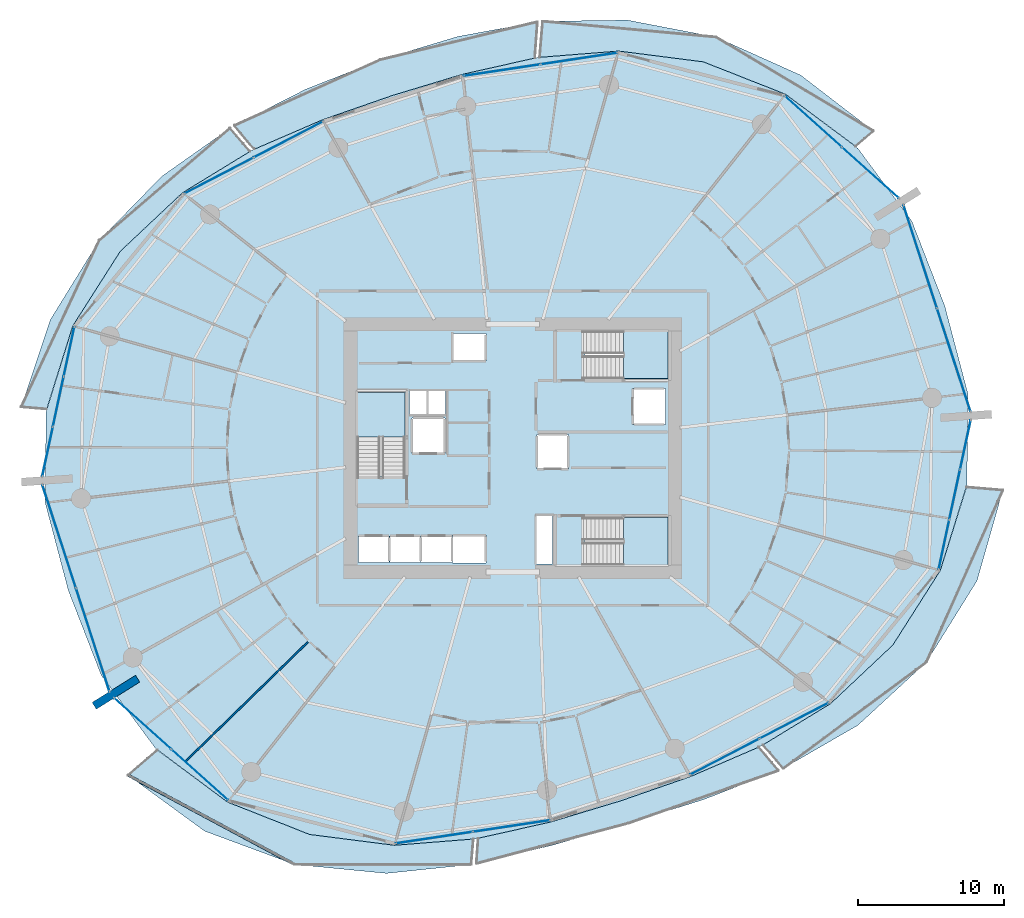
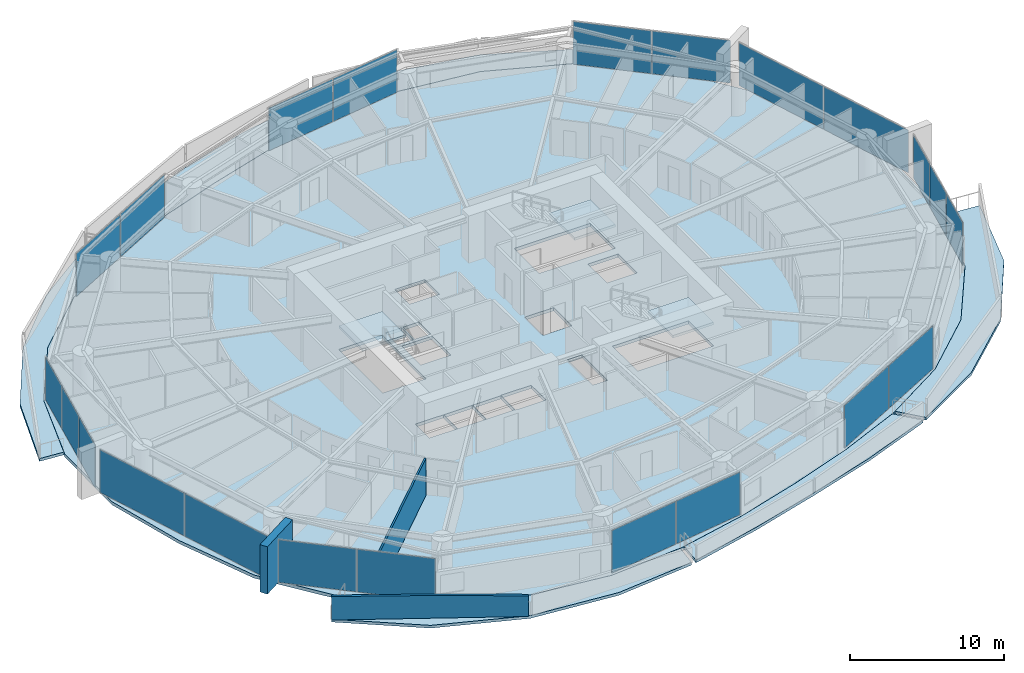
# One storey, part 18 of 31: 22 plates, 10 slabs, 3 walls, 13 elements without a shape of their own.
"""IFC4 building model written with IfcOpenShell, lengths in metres."""

import ifcopenshell
import ifcopenshell.guid

model = None  # the IFC model being written
_history = None  # IfcOwnerHistory: only IFC2X3 demands one
_inside = {}  # id of a spatial element -> (the spatial element, [elements in it])
_under = {}  # id of a project, library or spatial element -> (it, [spatial elements below it])
_declared = {}  # id of a project -> (the project, [libraries it declares])
_typed = {}  # id of a type object -> (the type object, [elements of that type])
_made_of = {}  # id of a material, layer set ... -> (it, [elements and type objects made of it])


def new_model(schema):
    """Start an empty IFC model of exactly this schema.

    Asked for "IFC4X3", IfcOpenShell would pick the latest addendum, in which some entities
    have other attributes; the version numbers below select the first issue.
    IFC2X3 requires an IfcOwnerHistory on every rooted entity: one is made here for all.
    """
    global model, _history
    if schema == "IFC4X3":
        model = ifcopenshell.file(schema_version=(4, 3, 0, 0))
    else:
        model = ifcopenshell.file(schema=schema)
    _inside.clear()
    _under.clear()
    _declared.clear()
    _typed.clear()
    _made_of.clear()
    _history = None
    if model.schema == "IFC2X3":
        org = make("IfcOrganization", Name="unknown")
        user = make(
            "IfcPersonAndOrganization",
            ThePerson=make("IfcPerson", FamilyName="unknown"),
            TheOrganization=org,
        )
        app = make(
            "IfcApplication",
            ApplicationDeveloper=org,
            Version="unknown",
            ApplicationFullName="unknown",
            ApplicationIdentifier="unknown",
        )
        _history = make(
            "IfcOwnerHistory",
            OwningUser=user,
            OwningApplication=app,
            ChangeAction="ADDED",
            CreationDate=0,
        )
    return model


def make(cls, **values):
    """One entity of the class cls with the attributes given. An attribute that is None is left unset."""
    return model.create_entity(
        cls, **{name: value for name, value in values.items() if value is not None}
    )


def rooted(cls, **values):
    """An entity with a GlobalId (a new one), such as an element, a storey or a relation."""
    return make(cls, GlobalId=ifcopenshell.guid.new(), OwnerHistory=_history, **values)


def si_unit(unit_type, name, prefix=None):
    """IfcSIUnit, for example si_unit("LENGTHUNIT", "METRE", prefix="MILLI")."""
    return make("IfcSIUnit", UnitType=unit_type, Prefix=prefix, Name=name)


def assignment(units):
    """IfcUnitAssignment: the units of a project."""
    return None if units is None else make("IfcUnitAssignment", Units=units)


def point(xyz):
    """IfcCartesianPoint."""
    return None if xyz is None else make("IfcCartesianPoint", Coordinates=xyz)


def direction(xyz):
    """IfcDirection."""
    return None if xyz is None else make("IfcDirection", DirectionRatios=xyz)


def frame(location, z_axis=None, x_axis=None):
    """IfcAxis2Placement3D, a coordinate frame: its origin and axes. An axis left out is left unset."""
    return make(
        "IfcAxis2Placement3D",
        Location=point(location),
        Axis=direction(z_axis),
        RefDirection=direction(x_axis),
    )


def frame_2d(location, x_axis=None):
    """IfcAxis2Placement2D, a coordinate frame in the plane: its origin and x axis."""
    return make(
        "IfcAxis2Placement2D", Location=point(location), RefDirection=direction(x_axis)
    )


def origin():
    """The frame at (0, 0, 0) with its axes left unset."""
    return frame((0.0, 0.0, 0.0))


def origin_2d():
    """The frame at (0, 0) in the plane with its x axis left unset."""
    return frame_2d((0.0, 0.0))


def place(relative_to, where):
    """IfcLocalPlacement: puts the frame where relative to a parent placement (None: the world)."""
    return make(
        "IfcLocalPlacement", PlacementRelTo=relative_to, RelativePlacement=where
    )


def context(
    kind, dimensions, precision=None, world=None, true_north=None, identifier=None
):
    """IfcGeometricRepresentationContext, for example the 3D "Model" context."""
    return make(
        "IfcGeometricRepresentationContext",
        ContextIdentifier=identifier,
        ContextType=kind,
        CoordinateSpaceDimension=dimensions,
        Precision=precision,
        WorldCoordinateSystem=world,
        TrueNorth=true_north,
    )


def subcontext(parent, identifier, kind, view, scale=None):
    """IfcGeometricRepresentationSubContext, for example "Body" below "Model"."""
    return make(
        "IfcGeometricRepresentationSubContext",
        ContextIdentifier=identifier,
        ContextType=kind,
        ParentContext=parent,
        TargetScale=scale,
        TargetView=view,
    )


def project(units=None, contexts=None):
    """IfcProject with its units and contexts."""
    return rooted(
        "IfcProject",
        Name="project",
        RepresentationContexts=contexts,
        UnitsInContext=assignment(units),
    )


def spatial(cls, under=None, at=None, **own):
    """A site, building, storey or space (cls), placed at a placement, below another one or the project."""
    s = rooted(cls, ObjectPlacement=at, **own)
    if under is not None:
        _under.setdefault(under.id(), (under, []))[1].append(s)
    return s


def polyline(points):
    """IfcPolyline through the points."""
    return make("IfcPolyline", Points=[point(p) for p in points])


def profile(cls, at=None, kind="AREA", **sizes):
    """A parametric profile (cls). Its sizes go by their IFC names, for example OverallWidth=200.0."""
    return make(cls, ProfileType=kind, Position=at, **sizes)


def rectangle(**sizes):
    """IfcRectangleProfileDef."""
    return profile("IfcRectangleProfileDef", **sizes)


def outline(outer, holes=None, kind="AREA"):
    """IfcArbitraryClosedProfileDef: a profile drawn as a closed curve; with holes, ...WithVoids."""
    if holes is None:
        return make("IfcArbitraryClosedProfileDef", ProfileType=kind, OuterCurve=outer)
    return make(
        "IfcArbitraryProfileDefWithVoids",
        ProfileType=kind,
        OuterCurve=outer,
        InnerCurves=holes,
    )


def extrude(swept, where, along, depth):
    """IfcExtrudedAreaSolid: the profile swept, set in the frame where, extruded along a direction by depth."""
    return make(
        "IfcExtrudedAreaSolid",
        SweptArea=swept,
        Position=where,
        ExtrudedDirection=direction(along),
        Depth=depth,
    )


def shape(context_of_items, identifier, shape_type, items):
    """IfcShapeRepresentation: the items that make up one representation, for example the "Body"."""
    return make(
        "IfcShapeRepresentation",
        ContextOfItems=context_of_items,
        RepresentationIdentifier=identifier,
        RepresentationType=shape_type,
        Items=items,
    )


def material(Name=None, Category=None):
    """IfcMaterial."""
    return make("IfcMaterial", Name=Name, Category=Category)


def layer(
    of_material, thickness, ventilated=None, Name=None, Category=None, Priority=None
):
    """IfcMaterialLayer: one layer of a wall or slab, of a material (None: an air gap)."""
    return make(
        "IfcMaterialLayer",
        Material=of_material,
        LayerThickness=thickness,
        IsVentilated=ventilated,
        Name=Name,
        Category=Category,
        Priority=Priority,
    )


def layer_set(layers, Name=None):
    """IfcMaterialLayerSet."""
    return make("IfcMaterialLayerSet", MaterialLayers=layers, LayerSetName=Name)


def made_of(thing, what):
    """Note that an element or type object is made of a material, layer set ...; save() writes the relation."""
    if what is not None:
        _made_of.setdefault(what.id(), (what, []))[1].append(thing)
    return thing


def type_object(cls, material=None, **own):
    """A type object (cls), such as IfcWallType, which elements share."""
    return made_of(rooted(cls, **own), material)


def element(
    cls,
    number,
    at=None,
    inside=None,
    cuts=None,
    type_object=None,
    material=None,
    context=None,
    identifier="Body",
    shape_type=None,
    held_by="IfcProductDefinitionShape",
    body=None,
    shapes=None,
    **own,
):
    """One element of the class cls, such as IfcWall. Its Tag is "e" and its number.

    at: its placement. inside: the storey or other place that contains it. cuts: it is an
    opening in that element (IfcRelVoidsElement). A single representation is given by context,
    identifier, shape_type and body (its items); several are given by shapes. held_by: the class
    of the entity that holds the representations. save() writes the other relations.
    """
    e = rooted(cls, Tag="e%d" % number, ObjectPlacement=at, **own)
    if body is not None:
        shapes = [shape(context, identifier, shape_type, body)]
    if shapes is not None:
        e.Representation = make(held_by, Representations=shapes)
    if inside is not None:
        _inside.setdefault(inside.id(), (inside, []))[1].append(e)
    if cuts is not None:
        rooted(
            "IfcRelVoidsElement", RelatingBuildingElement=cuts, RelatedOpeningElement=e
        )
    if type_object is not None:
        _typed.setdefault(type_object.id(), (type_object, []))[1].append(e)
    return made_of(e, material)


def aggregate(whole, parts):
    """IfcRelAggregates: a whole, such as a stair, and the parts it consists of."""
    return rooted("IfcRelAggregates", RelatingObject=whole, RelatedObjects=parts)


def save(model, path):
    """Write the relations noted so far, then the file.

    IfcRelAggregates (storeys below a building ...), IfcRelContainedInSpatialStructure (elements
    in a storey), IfcRelDefinesByType, IfcRelAssociatesMaterial and IfcRelDeclares: one each for
    every whole, place, type object, material and project.
    """
    for whole, parts in _under.values():
        aggregate(whole, parts)
    for where, things in _inside.values():
        rooted(
            "IfcRelContainedInSpatialStructure",
            RelatedElements=things,
            RelatingStructure=where,
        )
    for kind, things in _typed.values():
        rooted("IfcRelDefinesByType", RelatedObjects=things, RelatingType=kind)
    for what, things in _made_of.values():
        rooted("IfcRelAssociatesMaterial", RelatedObjects=things, RelatingMaterial=what)
    for by, libraries in _declared.values():
        rooted("IfcRelDeclares", RelatingContext=by, RelatedDefinitions=libraries)
    model.write(path)


model = new_model("IFC4")

# Units and contexts
model_context = context("Model", 3, precision=1e-05, world=origin(), true_north=direction((0.0, 1.0)))
body_context = subcontext(model_context, "Body", "Model", "MODEL_VIEW")
ifc_project = project(units=[si_unit("LENGTHUNIT", "METRE"), si_unit("AREAUNIT", "SQUARE_METRE"), si_unit("VOLUMEUNIT", "CUBIC_METRE"), si_unit("PLANEANGLEUNIT", "RADIAN"), si_unit("MASSUNIT", "GRAM", prefix="KILO")], contexts=[model_context])

# Site, building, storey
site_placement = place(None, origin())
site = spatial("IfcSite", under=ifc_project, at=site_placement, CompositionType="ELEMENT")
building_placement = place(site_placement, origin())
building = spatial("IfcBuilding", under=site, at=building_placement, Name="Kazma Halo Residences", CompositionType="ELEMENT")
storey_placement = place(building_placement, frame((0.0, 0.0, 60.14990234375)))
storey = spatial("IfcBuildingStorey", under=building, at=storey_placement, Name="L14", CompositionType="ELEMENT", Elevation=60.14990234375)

# Curtain wall, plates
ifc_material_1 = material(Name="Aluminium AW-6063 T6 and Triple-Silver Low-E Glass", Category="aluminium")
ifc_layer_1 = layer(ifc_material_1, 0.159912109375)
ifc_layer_set_1 = layer_set([ifc_layer_1], Name="Aluminium AW-6063 T6 and Triple-Silver Low-E Glass")
curtain_wall_type = type_object("IfcCurtainWallType", Name="CW-SYS-2", PredefinedType="NOTDEFINED", material=ifc_layer_set_1)
curtain_wall_1_placement = place(storey_placement, origin())
curtain_wall_1 = element("IfcCurtainWall", 1, at=curtain_wall_1_placement, inside=storey, type_object=curtain_wall_type, Name="L14 unitised curtain wall B01", PredefinedType="NOTDEFINED")
ifc_material_2 = material(Name="Clear Triple-Silver Low-E Glass IGU", Category="glass")
ifc_layer_2 = layer(ifc_material_2, 0.028076171875)
ifc_layer_set_2 = layer_set([ifc_layer_2], Name="Clear Triple-Silver Low-E Glass IGU")
plate_type = type_object("IfcPlateType", Name="CW-SYS-2-PNL", PredefinedType="CURTAIN_PANEL", material=ifc_layer_set_2)
plate_1_placement = place(storey_placement, frame((72.876953125, 60.841064453125, 0.06005859375), z_axis=(0.0, 0.0, 1.0), x_axis=(-0.744321506993, 0.667821453854, 0.0)))
plate_1 = element("IfcPlate", 2, at=plate_1_placement, type_object=plate_type, Name="CWS-2 panel 1.1", PredefinedType="CURTAIN_PANEL", context=body_context, shape_type="SweptSolid", body=[
    extrude(rectangle(XDim=5.1787109375, YDim=0.028076171875, at=origin_2d()), origin(), (0.0, 0.0, 1.0), 3.3798828125),
])
plate_2_placement = place(storey_placement, frame((68.977783203125, 64.33935546875, 0.06005859375), z_axis=(0.0, 0.0, 1.0), x_axis=(-0.744321506993, 0.667821453854, 0.0)))
plate_2 = element("IfcPlate", 3, at=plate_2_placement, type_object=plate_type, Name="CWS-2 panel 2.1", PredefinedType="CURTAIN_PANEL", context=body_context, shape_type="SweptSolid", body=[
    extrude(rectangle(XDim=5.1787109375, YDim=0.028076171875, at=origin_2d()), origin(), (0.0, 0.0, 1.0), 3.3798828125),
])
aggregate(curtain_wall_1, [plate_1, plate_2])

curtain_wall_2_placement = place(storey_placement, origin())
curtain_wall_2 = element("IfcCurtainWall", 4, at=curtain_wall_2_placement, inside=storey, type_object=curtain_wall_type, Name="L14 unitised curtain wall B03", PredefinedType="NOTDEFINED")
plate_3_placement = place(storey_placement, frame((52.952392578125, 68.64013671875, 0.06005859375), z_axis=(0.0, 0.0, 1.0), x_axis=(-0.988888777994, -0.148657272805, 0.0)))
plate_3 = element("IfcPlate", 5, at=plate_3_placement, type_object=plate_type, Name="CWS-2 panel 1.1", PredefinedType="CURTAIN_PANEL", context=body_context, shape_type="SweptSolid", body=[
    extrude(rectangle(XDim=5.288818359375, YDim=0.028076171875, at=origin_2d()), origin(), (0.0, 0.0, 1.0), 3.3798828125),
])
plate_4_placement = place(storey_placement, frame((47.662841796875, 67.844970703125, 0.06005859375), z_axis=(0.0, 0.0, 1.0), x_axis=(-0.988888777994, -0.148657272805, 0.0)))
plate_4 = element("IfcPlate", 6, at=plate_4_placement, type_object=plate_type, Name="CWS-2 panel 2.1", PredefinedType="CURTAIN_PANEL", context=body_context, shape_type="SweptSolid", body=[
    extrude(rectangle(XDim=5.288818359375, YDim=0.028076171875, at=origin_2d()), origin(), (0.0, 0.0, 1.0), 3.3798828125),
])
aggregate(curtain_wall_2, [plate_3, plate_4])

curtain_wall_3_placement = place(storey_placement, origin())
curtain_wall_3 = element("IfcCurtainWall", 7, at=curtain_wall_3_placement, inside=storey, type_object=curtain_wall_type, Name="L14 unitised curtain wall B05", PredefinedType="NOTDEFINED")
plate_5_placement = place(storey_placement, frame((33.081298828125, 63.107177734375, 0.06005859375), z_axis=(0.0, 0.0, 1.0), x_axis=(-0.887402258584, -0.460995912628, 0.0)))
plate_5 = element("IfcPlate", 8, at=plate_5_placement, type_object=plate_type, Name="CWS-2 panel 1.1", PredefinedType="CURTAIN_PANEL", context=body_context, shape_type="SweptSolid", body=[
    extrude(rectangle(XDim=5.288818359375, YDim=0.028076171875, at=origin_2d()), origin(), (0.0, 0.0, 1.0), 3.3798828125),
])
plate_6_placement = place(storey_placement, frame((28.334716796875, 60.641357421875, 0.06005859375), z_axis=(0.0, 0.0, 1.0), x_axis=(-0.887402258584, -0.460995912628, 0.0)))
plate_6 = element("IfcPlate", 9, at=plate_6_placement, type_object=plate_type, Name="CWS-2 panel 2.1", PredefinedType="CURTAIN_PANEL", context=body_context, shape_type="SweptSolid", body=[
    extrude(rectangle(XDim=5.288818359375, YDim=0.028076171875, at=origin_2d()), origin(), (0.0, 0.0, 1.0), 3.3798828125),
])
aggregate(curtain_wall_3, [plate_5, plate_6])

curtain_wall_4_placement = place(storey_placement, origin())
curtain_wall_4 = element("IfcCurtainWall", 10, at=curtain_wall_4_placement, inside=storey, type_object=curtain_wall_type, Name="L14 unitised curtain wall B07", PredefinedType="NOTDEFINED")
plate_7_placement = place(storey_placement, frame((18.08203125, 48.60107421875, 0.06005859375), z_axis=(0.0, 0.0, 1.0), x_axis=(-0.209637321406, -0.977779215096, 0.0)))
plate_7 = element("IfcPlate", 11, at=plate_7_placement, type_object=plate_type, Name="CWS-2 panel 1.1", PredefinedType="CURTAIN_PANEL", context=body_context, shape_type="SweptSolid", body=[
    extrude(rectangle(XDim=3.42236328125, YDim=0.028076171875, at=origin_2d()), origin(), (0.0, 0.0, 1.0), 3.3798828125),
])
plate_8_placement = place(storey_placement, frame((17.348876953125, 45.181396484375, 0.06005859375), z_axis=(0.0, 0.0, 1.0), x_axis=(-0.209637321406, -0.977779215096, 0.0)))
plate_8 = element("IfcPlate", 12, at=plate_8_placement, type_object=plate_type, Name="CWS-2 panel 2.1", PredefinedType="CURTAIN_PANEL", context=body_context, shape_type="SweptSolid", body=[
    extrude(rectangle(XDim=3.452392578125, YDim=0.028076171875, at=origin_2d()), origin(), (0.0, 0.0, 1.0), 3.3798828125),
])
plate_9_placement = place(storey_placement, frame((16.61572265625, 41.76171875, 0.06005859375), z_axis=(0.0, 0.0, 1.0), x_axis=(-0.209637321406, -0.977779215096, 0.0)))
plate_9 = element("IfcPlate", 13, at=plate_9_placement, type_object=plate_type, Name="CWS-2 panel 3.1", PredefinedType="CURTAIN_PANEL", context=body_context, shape_type="SweptSolid", body=[
    extrude(rectangle(XDim=3.42236328125, YDim=0.028076171875, at=origin_2d()), origin(), (0.0, 0.0, 1.0), 3.3798828125),
])
aggregate(curtain_wall_4, [plate_7, plate_8, plate_9])

curtain_wall_5_placement = place(storey_placement, origin())
curtain_wall_5 = element("IfcCurtainWall", 14, at=curtain_wall_5_placement, inside=storey, type_object=curtain_wall_type, Name="L14 unitised curtain wall B08", PredefinedType="NOTDEFINED")
plate_10_placement = place(storey_placement, frame((17.409912109375, 35.96728515625, 0.06005859375), z_axis=(0.0, 0.0, 1.0), x_axis=(0.309016970539, -0.95105652404, 0.0)))
plate_10 = element("IfcPlate", 15, at=plate_10_placement, type_object=plate_type, Name="CWS-2 panel 1.1", PredefinedType="CURTAIN_PANEL", context=body_context, shape_type="SweptSolid", body=[
    extrude(rectangle(XDim=7.370849609375, YDim=0.028076171875, at=origin_2d()), origin(), (0.0, 0.0, 1.0), 3.3798828125),
])
plate_11_placement = place(storey_placement, frame((19.7060546875, 28.900146484375, 0.06005859375), z_axis=(0.0, 0.0, 1.0), x_axis=(0.309016970539, -0.95105652404, 0.0)))
plate_11 = element("IfcPlate", 16, at=plate_11_placement, type_object=plate_type, Name="CWS-2 panel 2.1", PredefinedType="CURTAIN_PANEL", context=body_context, shape_type="SweptSolid", body=[
    extrude(rectangle(XDim=7.370849609375, YDim=0.028076171875, at=origin_2d()), origin(), (0.0, 0.0, 1.0), 3.3798828125),
])
aggregate(curtain_wall_5, [plate_10, plate_11])

curtain_wall_6_placement = place(storey_placement, origin())
curtain_wall_6 = element("IfcCurtainWall", 17, at=curtain_wall_6_placement, inside=storey, type_object=curtain_wall_type, Name="L14 unitised curtain wall B09", PredefinedType="NOTDEFINED")
plate_12_placement = place(storey_placement, frame((23.123046875, 23.158935546875, 0.06005859375), z_axis=(0.0, 0.0, 1.0), x_axis=(0.744321506993, -0.667821453854, 0.0)))
plate_12 = element("IfcPlate", 18, at=plate_12_placement, type_object=plate_type, Name="CWS-2 panel 1.1", PredefinedType="CURTAIN_PANEL", context=body_context, shape_type="SweptSolid", body=[
    extrude(rectangle(XDim=5.1787109375, YDim=0.028076171875, at=origin_2d()), origin(), (0.0, 0.0, 1.0), 3.3798828125),
])
plate_13_placement = place(storey_placement, frame((27.022216796875, 19.66064453125, 0.06005859375), z_axis=(0.0, 0.0, 1.0), x_axis=(0.744321506993, -0.667821453854, 0.0)))
plate_13 = element("IfcPlate", 19, at=plate_13_placement, type_object=plate_type, Name="CWS-2 panel 2.1", PredefinedType="CURTAIN_PANEL", context=body_context, shape_type="SweptSolid", body=[
    extrude(rectangle(XDim=5.1787109375, YDim=0.028076171875, at=origin_2d()), origin(), (0.0, 0.0, 1.0), 3.3798828125),
])
aggregate(curtain_wall_6, [plate_12, plate_13])

curtain_wall_7_placement = place(storey_placement, origin())
curtain_wall_7 = element("IfcCurtainWall", 20, at=curtain_wall_7_placement, inside=storey, type_object=curtain_wall_type, Name="L14 unitised curtain wall B11", PredefinedType="NOTDEFINED")
plate_14_placement = place(storey_placement, frame((43.047607421875, 15.35986328125, 0.06005859375), z_axis=(0.0, 0.0, 1.0), x_axis=(0.988888777994, 0.148657272805, 0.0)))
plate_14 = element("IfcPlate", 21, at=plate_14_placement, type_object=plate_type, Name="CWS-2 panel 1.1", PredefinedType="CURTAIN_PANEL", context=body_context, shape_type="SweptSolid", body=[
    extrude(rectangle(XDim=5.288818359375, YDim=0.028076171875, at=origin_2d()), origin(), (0.0, 0.0, 1.0), 3.3798828125),
])
plate_15_placement = place(storey_placement, frame((48.337158203125, 16.155029296875, 0.06005859375), z_axis=(0.0, 0.0, 1.0), x_axis=(0.988888777994, 0.148657272805, 0.0)))
plate_15 = element("IfcPlate", 22, at=plate_15_placement, type_object=plate_type, Name="CWS-2 panel 2.1", PredefinedType="CURTAIN_PANEL", context=body_context, shape_type="SweptSolid", body=[
    extrude(rectangle(XDim=5.288818359375, YDim=0.028076171875, at=origin_2d()), origin(), (0.0, 0.0, 1.0), 3.3798828125),
])
aggregate(curtain_wall_7, [plate_14, plate_15])

curtain_wall_8_placement = place(storey_placement, origin())
curtain_wall_8 = element("IfcCurtainWall", 23, at=curtain_wall_8_placement, inside=storey, type_object=curtain_wall_type, Name="L14 unitised curtain wall B13", PredefinedType="NOTDEFINED")
plate_16_placement = place(storey_placement, frame((62.918701171875, 20.892822265625, 0.06005859375), z_axis=(0.0, 0.0, 1.0), x_axis=(0.887402258584, 0.460995912628, 0.0)))
plate_16 = element("IfcPlate", 24, at=plate_16_placement, type_object=plate_type, Name="CWS-2 panel 1.1", PredefinedType="CURTAIN_PANEL", context=body_context, shape_type="SweptSolid", body=[
    extrude(rectangle(XDim=5.288818359375, YDim=0.028076171875, at=origin_2d()), origin(), (0.0, 0.0, 1.0), 3.3798828125),
])
plate_17_placement = place(storey_placement, frame((67.665283203125, 23.358642578125, 0.06005859375), z_axis=(0.0, 0.0, 1.0), x_axis=(0.887402258584, 0.460995912628, 0.0)))
plate_17 = element("IfcPlate", 25, at=plate_17_placement, type_object=plate_type, Name="CWS-2 panel 2.1", PredefinedType="CURTAIN_PANEL", context=body_context, shape_type="SweptSolid", body=[
    extrude(rectangle(XDim=5.288818359375, YDim=0.028076171875, at=origin_2d()), origin(), (0.0, 0.0, 1.0), 3.3798828125),
])
aggregate(curtain_wall_8, [plate_16, plate_17])

curtain_wall_9_placement = place(storey_placement, origin())
curtain_wall_9 = element("IfcCurtainWall", 26, at=curtain_wall_9_placement, inside=storey, type_object=curtain_wall_type, Name="L14 unitised curtain wall B15", PredefinedType="NOTDEFINED")
plate_18_placement = place(storey_placement, frame((77.91796875, 35.39892578125, 0.06005859375), z_axis=(0.0, 0.0, 1.0), x_axis=(0.209637321406, 0.977779215096, 0.0)))
plate_18 = element("IfcPlate", 27, at=plate_18_placement, type_object=plate_type, Name="CWS-2 panel 1.1", PredefinedType="CURTAIN_PANEL", context=body_context, shape_type="SweptSolid", body=[
    extrude(rectangle(XDim=3.42236328125, YDim=0.028076171875, at=origin_2d()), origin(), (0.0, 0.0, 1.0), 3.3798828125),
])
plate_19_placement = place(storey_placement, frame((78.651123046875, 38.818603515625, 0.06005859375), z_axis=(0.0, 0.0, 1.0), x_axis=(0.209637321406, 0.977779215096, 0.0)))
plate_19 = element("IfcPlate", 28, at=plate_19_placement, type_object=plate_type, Name="CWS-2 panel 2.1", PredefinedType="CURTAIN_PANEL", context=body_context, shape_type="SweptSolid", body=[
    extrude(rectangle(XDim=3.452392578125, YDim=0.028076171875, at=origin_2d()), origin(), (0.0, 0.0, 1.0), 3.3798828125),
])
plate_20_placement = place(storey_placement, frame((79.38427734375, 42.23828125, 0.06005859375), z_axis=(0.0, 0.0, 1.0), x_axis=(0.209637321406, 0.977779215096, 0.0)))
plate_20 = element("IfcPlate", 29, at=plate_20_placement, type_object=plate_type, Name="CWS-2 panel 3.1", PredefinedType="CURTAIN_PANEL", context=body_context, shape_type="SweptSolid", body=[
    extrude(rectangle(XDim=3.42236328125, YDim=0.028076171875, at=origin_2d()), origin(), (0.0, 0.0, 1.0), 3.3798828125),
])
aggregate(curtain_wall_9, [plate_18, plate_19, plate_20])

curtain_wall_10_placement = place(storey_placement, origin())
curtain_wall_10 = element("IfcCurtainWall", 30, at=curtain_wall_10_placement, inside=storey, type_object=curtain_wall_type, Name="L14 unitised curtain wall B16", PredefinedType="NOTDEFINED")
plate_21_placement = place(storey_placement, frame((78.590087890625, 48.03271484375, 0.06005859375), z_axis=(0.0, 0.0, 1.0), x_axis=(-0.309016970539, 0.95105652404, 0.0)))
plate_21 = element("IfcPlate", 31, at=plate_21_placement, type_object=plate_type, Name="CWS-2 panel 1.1", PredefinedType="CURTAIN_PANEL", context=body_context, shape_type="SweptSolid", body=[
    extrude(rectangle(XDim=7.370849609375, YDim=0.028076171875, at=origin_2d()), origin(), (0.0, 0.0, 1.0), 3.3798828125),
])
plate_22_placement = place(storey_placement, frame((76.2939453125, 55.099853515625, 0.06005859375), z_axis=(0.0, 0.0, 1.0), x_axis=(-0.309016970539, 0.95105652404, 0.0)))
plate_22 = element("IfcPlate", 32, at=plate_22_placement, type_object=plate_type, Name="CWS-2 panel 2.1", PredefinedType="CURTAIN_PANEL", context=body_context, shape_type="SweptSolid", body=[
    extrude(rectangle(XDim=7.370849609375, YDim=0.028076171875, at=origin_2d()), origin(), (0.0, 0.0, 1.0), 3.3798828125),
])
aggregate(curtain_wall_10, [plate_21, plate_22])

# Slabs
ifc_material_3 = material(Name="White Concrete C50/60", Category="concrete")
ifc_layer_3 = layer(ifc_material_3, 0.219970703125)
ifc_layer_set_3 = layer_set([ifc_layer_3], Name="White Concrete C50/60")
slab_type_1 = type_object("IfcSlabType", Name="SLB-BAL-WAVE-210", PredefinedType="FLOOR", material=ifc_layer_set_3)
slab_1_placement = place(storey_placement, frame((0.0, 0.0, -0.219970703125)))
element("IfcSlab", 33, at=slab_1_placement, inside=storey, type_object=slab_type_1, Name="L14 NE cantilevered wave balcony slab", PredefinedType="FLOOR", context=body_context, shape_type="SweptSolid", body=[
    extrude(outline(polyline([(71.875732421875, 62.645263671875), (67.081298828125, 66.20458984375), (61.461669921875, 68.420166015625), (55.659912109375, 69.15966796875), (50.26806640625, 68.729736328125), (50.47705078125, 71.1923828125), (56.2568359375, 71.276611328125), (62.323974609375, 70.1123046875), (68.112548828125, 67.5126953125), (73.08740234375, 63.693115234375), (71.875732421875, 62.645263671875)])), origin(), (0.0, 0.0, 1.0), 0.219970703125),
])
slab_2_placement = place(storey_placement, frame((0.0, 0.0, -0.219970703125)))
element("IfcSlab", 34, at=slab_2_placement, inside=storey, type_object=slab_type_1, Name="L14 NNW cantilevered wave balcony slab", PredefinedType="FLOOR", context=body_context, shape_type="SweptSolid", body=[
    extrude(outline(polyline([(49.935791015625, 68.679931640625), (44.974365234375, 67.564208984375), (40.165771484375, 66.111083984375), (35.421630859375, 64.460205078125), (30.751708984375, 62.44677734375), (29.387939453125, 64.0634765625), (34.25537109375, 66.54296875), (39.368896484375, 68.5634765625), (44.667724609375, 70.154052734375), (50.115234375, 71.1533203125), (49.935791015625, 68.679931640625)])), origin(), (0.0, 0.0, 1.0), 0.219970703125),
])
slab_3_placement = place(storey_placement, frame((0.0, 0.0, -0.219970703125)))
element("IfcSlab", 35, at=slab_3_placement, inside=storey, type_object=slab_type_1, Name="L14 NW cantilevered wave balcony slab", PredefinedType="FLOOR", context=body_context, shape_type="SweptSolid", body=[
    extrude(outline(polyline([(30.453857421875, 62.29150390625), (25.839111328125, 59.47021484375), (21.579833984375, 55.461669921875), (18.3359375, 50.3662109375), (16.54931640625, 44.668701171875), (14.80810546875, 44.81640625), (16.8076171875, 50.797119140625), (20.138671875, 56.196044921875), (24.41845703125, 60.59033203125), (29.07958984375, 63.881103515625), (30.453857421875, 62.29150390625)])), origin(), (0.0, 0.0, 1.0), 0.219970703125),
])
slab_4_placement = place(storey_placement, frame((0.0, 0.0, -0.219970703125)))
element("IfcSlab", 36, at=slab_4_placement, inside=storey, type_object=slab_type_1, Name="L14 SW cantilevered wave balcony slab", PredefinedType="FLOOR", context=body_context, shape_type="SweptSolid", body=[
    extrude(outline(polyline([(24.124267578125, 21.354736328125), (28.918701171875, 17.79541015625), (34.538330078125, 15.579833984375), (40.340087890625, 14.84033203125), (45.73193359375, 15.270263671875), (45.583984375, 13.52685546875), (39.79833984375, 12.918701171875), (33.49560546875, 13.533203125), (27.352294921875, 15.808349609375), (22.126220703125, 19.626708984375), (24.124267578125, 21.354736328125)])), origin(), (0.0, 0.0, 1.0), 0.219970703125),
])
slab_5_placement = place(storey_placement, frame((0.0, 0.0, -0.219970703125)))
element("IfcSlab", 37, at=slab_5_placement, inside=storey, type_object=slab_type_1, Name="L14 SSE cantilevered wave balcony slab", PredefinedType="FLOOR", context=body_context, shape_type="SweptSolid", body=[
    extrude(outline(polyline([(46.064208984375, 15.320068359375), (51.025634765625, 16.435791015625), (55.834228515625, 17.888916015625), (60.578369140625, 19.539794921875), (65.248291015625, 21.55322265625), (66.599609375, 19.951171875), (61.46240234375, 17.961181640625), (56.333984375, 16.350341796875), (51.21240234375, 14.85888671875), (45.93896484375, 13.593505859375), (46.064208984375, 15.320068359375)])), origin(), (0.0, 0.0, 1.0), 0.219970703125),
])
slab_6_placement = place(storey_placement, frame((0.0, 0.0, -0.219970703125)))
element("IfcSlab", 38, at=slab_6_placement, inside=storey, type_object=slab_type_1, Name="L14 SE cantilevered wave balcony slab", PredefinedType="FLOOR", context=body_context, shape_type="SweptSolid", body=[
    extrude(outline(polyline([(65.546142578125, 21.70849609375), (70.160888671875, 24.52978515625), (74.420166015625, 28.538330078125), (77.6640625, 33.6337890625), (79.45068359375, 39.331298828125), (81.93798828125, 39.120361328125), (80.17431640625, 32.92578125), (76.717529296875, 27.36767578125), (72.035400390625, 23.052001953125), (66.93310546875, 20.1044921875), (65.546142578125, 21.70849609375)])), origin(), (0.0, 0.0, 1.0), 0.219970703125),
])
ifc_material_4 = material(Name="Concrete C50/60", Category="concrete")
ifc_layer_4 = layer(ifc_material_4, 0.25)
ifc_layer_set_4 = layer_set([ifc_layer_4], Name="Concrete C50/60")
slab_type_2 = type_object("IfcSlabType", Name="SLB-RES-250", PredefinedType="FLOOR", material=ifc_layer_set_4)
slab_7_placement = place(storey_placement, frame((0.0, 0.0, -0.25)))
element("IfcSlab", 39, at=slab_7_placement, inside=storey, type_object=slab_type_2, Name="L14 structural floor slab", PredefinedType="FLOOR", context=body_context, shape_type="SweptSolid", body=[
    extrude(outline(polyline([(77.9677734375, 51.737060546875), (75.719970703125, 57.52392578125), (72.02099609375, 62.51611328125), (67.080078125, 66.202880859375), (61.460693359375, 68.418212890625), (55.6591796875, 69.15771484375), (50.102294921875, 68.713134765625), (44.974609375, 67.562255859375), (40.16650390625, 66.109375), (35.422607421875, 64.45849609375), (30.597412109375, 62.375732421875), (25.8408203125, 59.468994140625), (21.581787109375, 55.460693359375), (18.337890625, 50.365478515625), (16.507568359375, 44.478515625), (16.449462890625, 38.265625), (18.0322265625, 32.262939453125), (20.280029296875, 26.47607421875), (23.97900390625, 21.48388671875), (28.919921875, 17.797119140625), (34.539306640625, 15.581787109375), (40.3408203125, 14.84228515625), (45.897705078125, 15.286865234375), (51.025390625, 16.437744140625), (55.83349609375, 17.890625), (60.577392578125, 19.54150390625), (65.402587890625, 21.624267578125), (70.1591796875, 24.531005859375), (74.418212890625, 28.539306640625), (77.662109375, 33.634521484375), (79.492431640625, 39.521484375), (79.550537109375, 45.734375), (77.9677734375, 51.737060546875)]), holes=[polyline([(37.800048828125, 40.110107421875), (41.050048828125, 40.110107421875), (41.050048828125, 45.800048828125), (37.800048828125, 45.800048828125), (37.800048828125, 40.110107421875)]), polyline([(53.360107421875, 46.75), (59.050048828125, 46.75), (59.050048828125, 50.0), (53.360107421875, 50.0), (53.360107421875, 46.75)]), polyline([(53.360107421875, 34.0), (59.050048828125, 34.0), (59.050048828125, 37.25), (53.360107421875, 37.25), (53.360107421875, 34.0)]), polyline([(41.52001953125, 41.6201171875), (43.780029296875, 41.6201171875), (43.780029296875, 44.080078125), (41.52001953125, 44.080078125), (41.52001953125, 41.6201171875)]), polyline([(56.6201171875, 43.6201171875), (58.8798828125, 43.6201171875), (58.8798828125, 46.080078125), (56.6201171875, 46.080078125), (56.6201171875, 43.6201171875)]), polyline([(37.864990234375, 34.195068359375), (39.97509765625, 34.195068359375), (39.97509765625, 36.0048828125), (37.864990234375, 36.0048828125), (37.864990234375, 34.195068359375)]), polyline([(40.014892578125, 34.195068359375), (42.125, 34.195068359375), (42.125, 36.0048828125), (40.014892578125, 36.0048828125), (40.014892578125, 34.195068359375)]), polyline([(42.1650390625, 34.195068359375), (44.27490234375, 34.195068359375), (44.27490234375, 36.0048828125), (42.1650390625, 36.0048828125), (42.1650390625, 34.195068359375)]), polyline([(44.320068359375, 47.945068359375), (46.580078125, 47.945068359375), (46.580078125, 49.85498046875), (44.320068359375, 49.85498046875), (44.320068359375, 47.945068359375)]), polyline([(44.320068359375, 34.14501953125), (46.580078125, 34.14501953125), (46.580078125, 36.054931640625), (44.320068359375, 36.054931640625), (44.320068359375, 34.14501953125)]), polyline([(50.070068359375, 40.570068359375), (52.22998046875, 40.570068359375), (52.22998046875, 42.929931640625), (50.070068359375, 42.929931640625), (50.070068359375, 40.570068359375)]), polyline([(41.360107421875, 44.340087890625), (42.5400390625, 44.340087890625), (42.5400390625, 45.89990234375), (41.360107421875, 45.89990234375), (41.360107421875, 44.340087890625)]), polyline([(42.659912109375, 44.340087890625), (43.840087890625, 44.340087890625), (43.840087890625, 45.89990234375), (42.659912109375, 45.89990234375), (42.659912109375, 44.340087890625)]), polyline([(50.06005859375, 34.080078125), (51.159912109375, 34.080078125), (51.159912109375, 37.3798828125), (50.06005859375, 37.3798828125), (50.06005859375, 34.080078125)])]), origin(), (0.0, 0.0, 1.0), 0.25),
])

# Stair, slab
stair_type = type_object("IfcStairType", Name="STR-RES1", PredefinedType="HALF_TURN_STAIR", material=ifc_material_4)
stair_1_placement = place(storey_placement, origin())
stair_1 = element("IfcStair", 40, at=stair_1_placement, inside=storey, type_object=stair_type, Name="L14 Core exit stair ST-01", PredefinedType="HALF_TURN_STAIR")
ifc_layer_5 = layer(ifc_material_4, 0.199951171875)
ifc_layer_set_5 = layer_set([ifc_layer_5], Name="Concrete C50/60")
slab_type_3 = type_object("IfcSlabType", Name="SLB-STAIR-LND-200", PredefinedType="LANDING", material=ifc_layer_set_5)
slab_8_placement = place(storey_placement, frame((0.0, 0.0, 1.675048828125)))
slab_8 = element("IfcSlab", 41, at=slab_8_placement, type_object=slab_type_3, Name="ST-01 landing 1", PredefinedType="LANDING", context=body_context, shape_type="SweptSolid", body=[
    extrude(outline(polyline([(41.050048828125, 42.75), (41.050048828125, 45.800048828125), (37.800048828125, 45.800048828125), (37.800048828125, 42.75), (41.050048828125, 42.75)])), origin(), (0.0, 0.0, 1.0), 0.199951171875),
])
aggregate(stair_1, [slab_8])

stair_2_placement = place(storey_placement, origin())
stair_2 = element("IfcStair", 42, at=stair_2_placement, inside=storey, type_object=stair_type, Name="L14 Core exit stair ST-02", PredefinedType="HALF_TURN_STAIR")
slab_9_placement = place(storey_placement, frame((0.0, 0.0, 1.675048828125)))
slab_9 = element("IfcSlab", 43, at=slab_9_placement, type_object=slab_type_3, Name="ST-02 landing 1", PredefinedType="LANDING", context=body_context, shape_type="SweptSolid", body=[
    extrude(outline(polyline([(56.0, 46.75), (59.050048828125, 46.75), (59.050048828125, 50.0), (56.0, 50.0), (56.0, 46.75)])), origin(), (0.0, 0.0, 1.0), 0.199951171875),
])
aggregate(stair_2, [slab_9])

stair_3_placement = place(storey_placement, origin())
stair_3 = element("IfcStair", 44, at=stair_3_placement, inside=storey, type_object=stair_type, Name="L14 Core exit stair ST-03", PredefinedType="HALF_TURN_STAIR")
slab_10_placement = place(storey_placement, frame((0.0, 0.0, 1.675048828125)))
slab_10 = element("IfcSlab", 45, at=slab_10_placement, type_object=slab_type_3, Name="ST-03 landing 1", PredefinedType="LANDING", context=body_context, shape_type="SweptSolid", body=[
    extrude(outline(polyline([(56.0, 34.0), (59.050048828125, 34.0), (59.050048828125, 37.25), (56.0, 37.25), (56.0, 34.0)])), origin(), (0.0, 0.0, 1.0), 0.199951171875),
])
aggregate(stair_3, [slab_10])

# Walls
ifc_material_5 = material(Name="White Concrete C50/60 Balustrade", Category="concrete")
ifc_layer_6 = layer(ifc_material_5, 0.179931640625)
ifc_layer_set_6 = layer_set([ifc_layer_6], Name="White Concrete C50/60 Balustrade")
wall_type_1 = type_object("IfcWallType", Name="WL-BAL-WAVE-180", PredefinedType="PARAPET", material=ifc_layer_set_6)
wall_1_placement = place(storey_placement, frame((22.126220703125, 19.626708984375, 0.0), z_axis=(0.0, 0.0, 1.0), x_axis=(0.881385944807, -0.472396884301, 0.0)))
element("IfcWall", 46, at=wall_1_placement, inside=storey, type_object=wall_type_1, Name="L14 white wave balustrade wall SW.1", PredefinedType="PARAPET", context=body_context, shape_type="SweptSolid", body=[
    extrude(outline(polyline([(0.0, 0.0), (12.779296875, 0.0), (12.779296875, 1.632080078125), (6.3896484375, 1.798095703125), (0.0, 1.860107421875), (0.0, 0.0)])), frame((0.0, 0.08984375, 0.0), z_axis=(0.0, -1.0, 0.0), x_axis=(1.0, 0.0, 0.0)), (0.0, 0.0, 1.0), 0.179931640625),
])
ifc_material_6 = material(Name="Pale Concrete C60/75", Category="concrete")
ifc_layer_7 = layer(ifc_material_6, 0.550048828125)
ifc_layer_set_7 = layer_set([ifc_layer_7], Name="Pale Concrete C60/75")
wall_type_2 = type_object("IfcWallType", Name="WL-BLADE-550", PredefinedType="SOLIDWALL", material=ifc_layer_set_7)
wall_2_placement = place(storey_placement, frame((22.770263671875, 26.234619140625, 0.0), z_axis=(0.0, 0.0, 1.0), x_axis=(-0.848053161125, -0.529911158502, 0.0)))
element("IfcWall", 47, at=wall_2_placement, inside=storey, type_object=wall_type_2, Name="L14 pale concrete structural blade fin wall BW-03", PredefinedType="SOLIDWALL", context=body_context, shape_type="SweptSolid", body=[
    extrude(rectangle(XDim=3.5, YDim=0.550048828125, at=frame_2d((1.75, 0.0))), origin(), (0.0, 0.0, 1.0), 3.75),
])
ifc_material_7 = material(Name="Gypsum Plasterboard Partition")
ifc_layer_8 = layer(ifc_material_7, 0.125)
ifc_layer_set_8 = layer_set([ifc_layer_8], Name="Gypsum Plasterboard Partition")
wall_type_3 = type_object("IfcWallType", Name="WL-PART-125", PredefinedType="PARTITIONING", material=ifc_layer_set_8)
wall_3_placement = place(storey_placement, frame((34.408203125, 28.73779296875, 0.0), z_axis=(0.0, 0.0, 1.0), x_axis=(-0.715751902764, -0.698354647504, 0.0)))
element("IfcWall", 48, at=wall_3_placement, inside=storey, type_object=wall_type_3, Name="L14 Apartment 2 suite divider 8", PredefinedType="PARTITIONING", context=body_context, shape_type="SweptSolid", body=[
    extrude(rectangle(XDim=11.689697265625, YDim=0.125, at=frame_2d((5.8447265625, 0.0))), origin(), (0.0, 0.0, 1.0), 2.940185546875),
])

save(model, "model.ifc")
